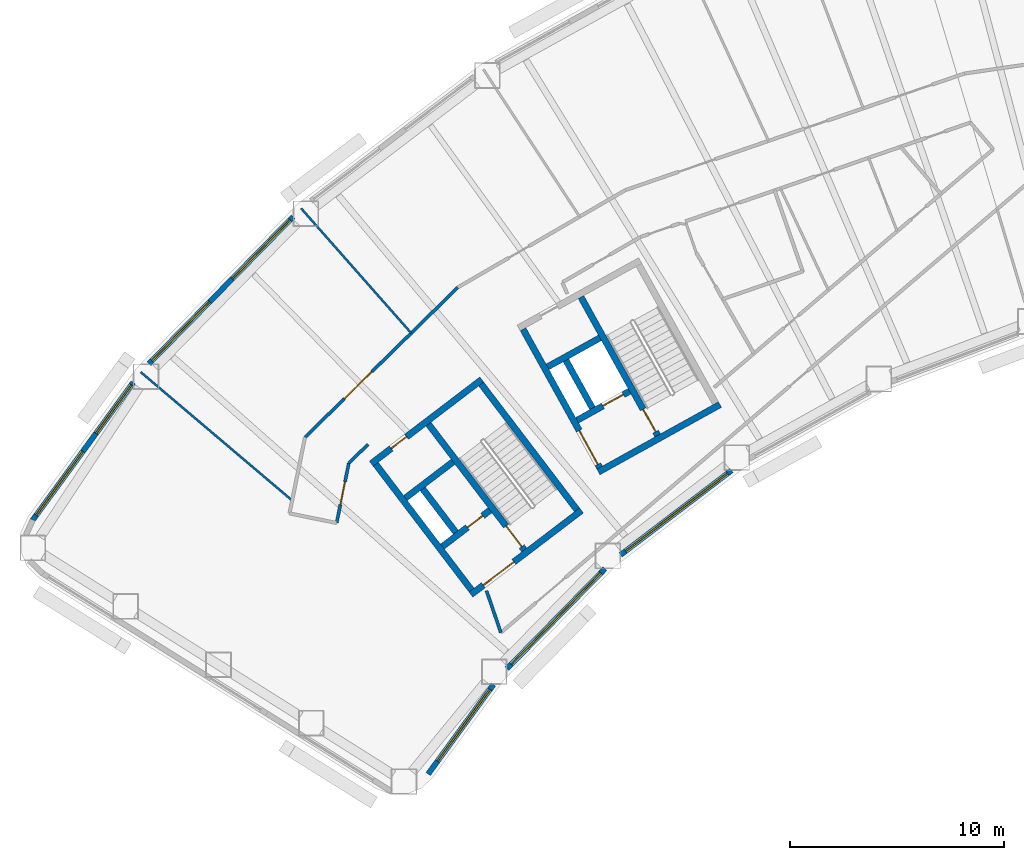
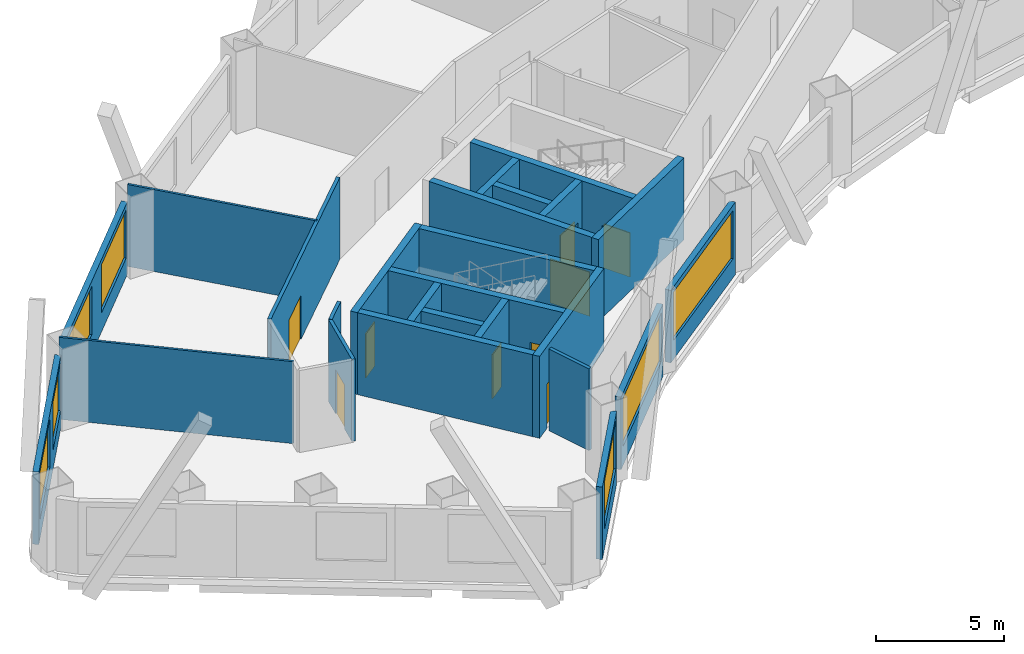
# One storey, part 3 of 12: 25 walls, 9 doors, 7 windows, 16 openings.
"""IFC4 building model written with IfcOpenShell, lengths in metres."""

from ifc_helpers import new_model, si_unit, direction, frame, frame_2d, origin, place, context, subcontext, project, spatial, rectangle, extrude, material, layer, layer_set, type_object, element, fill, save


model = new_model("IFC4")

# Units and contexts
model_context = context("Model", 3, precision=1e-05, world=origin(), true_north=direction((0.0, 1.0)))
body_context = subcontext(model_context, "Body", "Model", "MODEL_VIEW")
ifc_project = project(units=[si_unit("LENGTHUNIT", "METRE"), si_unit("AREAUNIT", "SQUARE_METRE"), si_unit("VOLUMEUNIT", "CUBIC_METRE"), si_unit("PLANEANGLEUNIT", "RADIAN"), si_unit("MASSUNIT", "GRAM", prefix="KILO")], contexts=[model_context])

# Site, building, storey
site_placement = place(None, origin())
site = spatial("IfcSite", under=ifc_project, at=site_placement, CompositionType="ELEMENT")
building_placement = place(site_placement, origin())
building = spatial("IfcBuilding", under=site, at=building_placement, Name="Tuul Gate Civic Tower", CompositionType="ELEMENT")
storey_placement = place(building_placement, frame((0.0, 0.0, 82.199951171875)))
storey = spatial("IfcBuildingStorey", under=building, at=storey_placement, Name="Level 18", CompositionType="ELEMENT", Elevation=82.199951171875)

# Wall, opening, door
ifc_material_1 = material(Name="Concrete C50/60", Category="concrete")
ifc_layer_1 = layer(ifc_material_1, 0.300048828125)
ifc_layer_set_1 = layer_set([ifc_layer_1], Name="Concrete C50/60")
wall_type_1 = type_object("IfcWallType", Name="Core wall C50/60", PredefinedType="SHEAR", material=ifc_layer_set_1)
wall_1_placement = place(storey_placement, frame((-31.19091796875, -13.669677734375, 0.0), z_axis=(0.0, 0.0, 1.0), x_axis=(-0.795606717756, -0.605813461934, 0.0)))
wall_1 = element("IfcWall", 1, at=wall_1_placement, inside=storey, type_object=wall_type_1, Name="Core wall", PredefinedType="SHEAR", context=body_context, shape_type="SweptSolid", body=[
    extrude(rectangle(XDim=6.5, YDim=0.300048828125, at=frame_2d((3.25, 0.0))), origin(), (0.0, 0.0, 1.0), 3.900146484375),
])
opening_1_placement = place(wall_1_placement, frame((3.97509765625, 0.0, 0.0)))
opening_1 = element("IfcOpeningElement", 2, at=opening_1_placement, cuts=wall_1, Name="Opening LB-W1-LOBBY-1", PredefinedType="OPENING", context=body_context, shape_type="SweptSolid", body=[
    extrude(rectangle(XDim=1.800048828125, YDim=2.10009765625, at=frame_2d((0.89990234375, 1.050048828125))), frame((0.0, 0.16015625, 0.0), z_axis=(0.0, -1.0, 0.0), x_axis=(1.0, 0.0, 0.0)), (0.0, 0.0, 1.0), 0.320068359375),
])
ifc_material_2 = material(Name="Steel", Category="steel")
door_type_1 = type_object("IfcDoorType", Name="Lobby door", OperationType="DOUBLE_DOOR_SINGLE_SWING", PredefinedType="DOOR", material=ifc_material_2)
door_1_placement = place(opening_1_placement, origin())
door_1 = element("IfcDoor", 3, at=door_1_placement, inside=storey, type_object=door_type_1, Name="Lobby door W1-LOBBY", OperationType="DOUBLE_DOOR_SINGLE_SWING", OverallHeight=2.10009765625, OverallWidth=1.800048828125, PredefinedType="DOOR", context=body_context, shape_type="SweptSolid", body=[
    extrude(rectangle(XDim=1.800048828125, YDim=2.10009765625, at=frame_2d((0.89990234375, 1.050048828125))), frame((0.0, 0.02490234375, 0.0), z_axis=(0.0, -1.0, 0.0), x_axis=(1.0, 0.0, 0.0)), (0.0, 0.0, 1.0), 0.050048828125),
])
fill(opening_1, door_1)

wall_2_placement = place(storey_placement, frame((-35.470947265625, -13.66064453125, 0.0), z_axis=(0.0, 0.0, 1.0), x_axis=(-0.795615822227, -0.605801504968, 0.0)))
wall_2 = element("IfcWall", 4, at=wall_2_placement, inside=storey, type_object=wall_type_1, Name="Core wall", PredefinedType="SHEAR", context=body_context, shape_type="SweptSolid", body=[
    extrude(rectangle(XDim=2.800048828125, YDim=0.300048828125, at=frame_2d((1.39990234375, 0.0))), origin(), (0.0, 0.0, 1.0), 3.900146484375),
])
opening_2_placement = place(wall_2_placement, frame((0.425048828125, 0.0, 0.0)))
opening_2 = element("IfcOpeningElement", 5, at=opening_2_placement, cuts=wall_2, Name="Opening FB-W1A1", PredefinedType="OPENING", context=body_context, shape_type="SweptSolid", body=[
    extrude(rectangle(XDim=0.89990234375, YDim=2.10009765625, at=frame_2d((0.449951171875, 1.050048828125))), frame((0.0, 0.16015625, 0.0), z_axis=(0.0, -1.0, 0.0), x_axis=(1.0, 0.0, 0.0)), (0.0, 0.0, 1.0), 0.320068359375),
])
ifc_material_3 = material(Name="Steel", Category="steel")
door_type_2 = type_object("IfcDoorType", Name="Store door", OperationType="NOTDEFINED", PredefinedType="DOOR", material=ifc_material_3)
door_2_placement = place(opening_2_placement, frame((0.89990234375, 0.0, 0.0), z_axis=(0.0, 0.0, 1.0), x_axis=(-1.0, 0.0, 0.0)))
door_2 = element("IfcDoor", 6, at=door_2_placement, inside=storey, type_object=door_type_2, Name="Store door W1A1", OperationType="SINGLE_SWING_RIGHT", OverallHeight=2.10009765625, OverallWidth=0.89990234375, PredefinedType="DOOR", context=body_context, shape_type="SweptSolid", body=[
    extrude(rectangle(XDim=0.89990234375, YDim=2.10009765625, at=frame_2d((0.449951171875, 1.050048828125))), frame((0.0, 0.02490234375, 0.0), z_axis=(0.0, -1.0, 0.0), x_axis=(1.0, 0.0, 0.0)), (0.0, 0.0, 1.0), 0.050048828125),
])
fill(opening_2, door_2)

# Wall
wall_3_placement = place(storey_placement, frame((-37.197509765625, -11.39306640625, 0.0), z_axis=(0.0, 0.0, 1.0), x_axis=(-0.795583820278, -0.605843531707, 0.0)))
element("IfcWall", 7, at=wall_3_placement, inside=storey, type_object=wall_type_1, Name="Core wall", PredefinedType="SHEAR", context=body_context, shape_type="SweptSolid", body=[
    extrude(rectangle(XDim=2.7998046875, YDim=0.300048828125, at=frame_2d((1.39990234375, 0.0))), origin(), (0.0, 0.0, 1.0), 3.900146484375),
])

# Wall, opening, door
wall_4_placement = place(storey_placement, frame((-35.855224609375, -7.543212890625, 0.0), z_axis=(0.0, 0.0, 1.0), x_axis=(-0.79563860527, -0.605771582202, 0.0)))
wall_4 = element("IfcWall", 8, at=wall_4_placement, inside=storey, type_object=wall_type_1, Name="Core wall", PredefinedType="SHEAR", context=body_context, shape_type="SweptSolid", body=[
    extrude(rectangle(XDim=6.5, YDim=0.300048828125, at=frame_2d((3.25, 0.0))), origin(), (0.0, 0.0, 1.0), 3.900146484375),
])
opening_3_placement = place(wall_4_placement, frame((4.425048828125, 0.0, 0.0)))
opening_3 = element("IfcOpeningElement", 9, at=opening_3_placement, cuts=wall_4, Name="Opening E-D36", PredefinedType="OPENING", context=body_context, shape_type="SweptSolid", body=[
    extrude(rectangle(XDim=0.89990234375, YDim=2.10009765625, at=frame_2d((0.449951171875, 1.050048828125))), frame((0.0, 0.16015625, 0.0), z_axis=(0.0, -1.0, 0.0), x_axis=(1.0, 0.0, 0.0)), (0.0, 0.0, 1.0), 0.320068359375),
])
ifc_material_4 = material(Name="Timber door leaf", Category="wood")
door_type_3 = type_object("IfcDoorType", Name="Door D09", OperationType="NOTDEFINED", PredefinedType="DOOR", material=ifc_material_4)
door_3_placement = place(opening_3_placement, origin())
door_3 = element("IfcDoor", 10, at=door_3_placement, inside=storey, type_object=door_type_3, Name="Door E-D36", OperationType="SINGLE_SWING_LEFT", OverallHeight=2.10009765625, OverallWidth=0.89990234375, PredefinedType="DOOR", context=body_context, shape_type="SweptSolid", body=[
    extrude(rectangle(XDim=0.89990234375, YDim=2.10009765625, at=frame_2d((0.449951171875, 1.050048828125))), frame((0.0, 0.02490234375, 0.0), z_axis=(0.0, -1.0, 0.0), x_axis=(1.0, 0.0, 0.0)), (0.0, 0.0, 1.0), 0.050048828125),
])
fill(opening_3, door_3)

# Wall
wall_5_placement = place(storey_placement, frame((-31.401123046875, -13.64111328125, 0.0), z_axis=(0.0, 0.0, 1.0), x_axis=(-0.605769822278, 0.795639945213, 0.0)))
element("IfcWall", 11, at=wall_5_placement, inside=storey, type_object=wall_type_1, Name="Core wall", PredefinedType="SHEAR", context=body_context, shape_type="SweptSolid", body=[
    extrude(rectangle(XDim=7.39990234375, YDim=0.300048828125, at=frame_2d((3.699951171875, 0.0))), origin(), (0.0, 0.0, 1.0), 3.900146484375),
])

# Wall, opening, door
wall_6_placement = place(storey_placement, frame((-33.867431640625, -15.51904296875, 0.0), z_axis=(0.0, 0.0, 1.0), x_axis=(-0.605769822278, 0.795639945213, 0.0)))
wall_6 = element("IfcWall", 12, at=wall_6_placement, inside=storey, type_object=wall_type_1, Name="Core wall", PredefinedType="SHEAR", context=body_context, shape_type="SweptSolid", body=[
    extrude(rectangle(XDim=7.39990234375, YDim=0.300048828125, at=frame_2d((3.699951171875, 0.0))), origin(), (0.0, 0.0, 1.0), 3.900146484375),
])
opening_4_placement = place(wall_6_placement, frame((0.199951171875, 0.0, 0.0)))
opening_4 = element("IfcOpeningElement", 13, at=opening_4_placement, cuts=wall_6, Name="Opening SD-ST-1", PredefinedType="OPENING", context=body_context, shape_type="SweptSolid", body=[
    extrude(rectangle(XDim=1.199951171875, YDim=2.10009765625, at=frame_2d((0.60009765625, 1.050048828125))), frame((0.0, 0.16015625, 0.0), z_axis=(0.0, -1.0, 0.0), x_axis=(1.0, 0.0, 0.0)), (0.0, 0.0, 1.0), 0.320068359375),
])
ifc_material_5 = material(Name="Steel", Category="steel")
door_type_4 = type_object("IfcDoorType", Name="Stair door", OperationType="NOTDEFINED", PredefinedType="DOOR", material=ifc_material_5)
door_4_placement = place(opening_4_placement, origin())
door_4 = element("IfcDoor", 14, at=door_4_placement, inside=storey, type_object=door_type_4, Name="Stair door ST-1", OperationType="SINGLE_SWING_LEFT", OverallHeight=2.10009765625, OverallWidth=1.199951171875, PredefinedType="DOOR", context=body_context, shape_type="SweptSolid", body=[
    extrude(rectangle(XDim=1.199951171875, YDim=2.10009765625, at=frame_2d((0.60009765625, 1.050048828125))), frame((0.0, 0.02490234375, 0.0), z_axis=(0.0, -1.0, 0.0), x_axis=(1.0, 0.0, 0.0)), (0.0, 0.0, 1.0), 0.050048828125),
])
fill(opening_4, door_4)

# Walls
wall_7_placement = place(storey_placement, frame((-37.073486328125, -14.6923828125, 0.0), z_axis=(0.0, 0.0, 1.0), x_axis=(-0.605728760074, 0.79567120673, 0.0)))
element("IfcWall", 15, at=wall_7_placement, inside=storey, type_object=wall_type_1, Name="Core wall", PredefinedType="SHEAR", context=body_context, shape_type="SweptSolid", body=[
    extrude(rectangle(XDim=2.550048828125, YDim=0.300048828125, at=frame_2d((1.27490234375, 0.0))), origin(), (0.0, 0.0, 1.0), 3.900146484375),
])
wall_8_placement = place(storey_placement, frame((-36.333984375, -17.397216796875, 0.0), z_axis=(0.0, 0.0, 1.0), x_axis=(-0.605753921168, 0.795652051458, 0.0)))
element("IfcWall", 16, at=wall_8_placement, inside=storey, type_object=wall_type_1, Name="Core wall", PredefinedType="SHEAR", context=body_context, shape_type="SweptSolid", body=[
    extrude(rectangle(XDim=7.400146484375, YDim=0.300048828125, at=frame_2d((3.7001953125, 0.0))), origin(), (0.0, 0.0, 1.0), 3.900146484375),
])
wall_9_placement = place(storey_placement, frame((-24.711669921875, -8.7158203125, 0.0), z_axis=(0.0, 0.0, 1.0), x_axis=(-0.874629909008, -0.484791215132, 0.0)))
element("IfcWall", 17, at=wall_9_placement, inside=storey, type_object=wall_type_1, Name="Core wall", PredefinedType="SHEAR", context=body_context, shape_type="SweptSolid", body=[
    extrude(rectangle(XDim=6.5, YDim=0.300048828125, at=frame_2d((3.25, 0.0))), origin(), (0.0, 0.0, 1.0), 3.900146484375),
])

# Wall, opening, door
wall_10_placement = place(storey_placement, frame((-28.94580078125, -8.090087890625, 0.0), z_axis=(0.0, 0.0, 1.0), x_axis=(-0.874629840737, -0.484791338301, 0.0)))
wall_10 = element("IfcWall", 18, at=wall_10_placement, inside=storey, type_object=wall_type_1, Name="Core wall", PredefinedType="SHEAR", context=body_context, shape_type="SweptSolid", body=[
    extrude(rectangle(XDim=2.800048828125, YDim=0.300048828125, at=frame_2d((1.39990234375, 0.0))), origin(), (0.0, 0.0, 1.0), 3.900146484375),
])
opening_5_placement = place(wall_10_placement, frame((0.324951171875, 0.0, 0.0)))
opening_5 = element("IfcOpeningElement", 19, at=opening_5_placement, cuts=wall_10, Name="Opening LD-FF-1", PredefinedType="OPENING", context=body_context, shape_type="SweptSolid", body=[
    extrude(rectangle(XDim=1.10009765625, YDim=2.10009765625, at=frame_2d((0.550048828125, 1.050048828125))), frame((0.0, 0.16015625, 0.0), z_axis=(0.0, -1.0, 0.0), x_axis=(1.0, 0.0, 0.0)), (0.0, 0.0, 1.0), 0.320068359375),
])
ifc_material_6 = material(Name="Stainless steel", Category="steel")
door_type_5 = type_object("IfcDoorType", Name="Landing door", OperationType="DOUBLE_DOOR_SLIDING", PredefinedType="DOOR", material=ifc_material_6)
door_5_placement = place(opening_5_placement, origin())
door_5 = element("IfcDoor", 20, at=door_5_placement, inside=storey, type_object=door_type_5, Name="Fire-fighting lift FF-1 landing door", OperationType="DOUBLE_DOOR_SLIDING", OverallHeight=2.10009765625, OverallWidth=1.10009765625, PredefinedType="DOOR", context=body_context, shape_type="SweptSolid", body=[
    extrude(rectangle(XDim=1.10009765625, YDim=2.10009765625, at=frame_2d((0.550048828125, 1.050048828125))), frame((0.0, 0.02490234375, 0.0), z_axis=(0.0, -1.0, 0.0), x_axis=(1.0, 0.0, 0.0)), (0.0, 0.0, 1.0), 0.050048828125),
])
fill(opening_5, door_5)

# Wall
wall_11_placement = place(storey_placement, frame((-30.327392578125, -5.59716796875, 0.0), z_axis=(0.0, 0.0, 1.0), x_axis=(-0.874629840737, -0.484791338301, 0.0)))
element("IfcWall", 21, at=wall_11_placement, inside=storey, type_object=wall_type_1, Name="Core wall", PredefinedType="SHEAR", context=body_context, shape_type="SweptSolid", body=[
    extrude(rectangle(XDim=2.800048828125, YDim=0.300048828125, at=frame_2d((1.39990234375, 0.0))), origin(), (0.0, 0.0, 1.0), 3.900146484375),
])

# Wall, opening, door
wall_12_placement = place(storey_placement, frame((-27.626953125, -10.16015625, 0.0), z_axis=(0.0, 0.0, 1.0), x_axis=(-0.484751894226, 0.874651702704, 0.0)))
wall_12 = element("IfcWall", 22, at=wall_12_placement, inside=storey, type_object=wall_type_1, Name="Core wall", PredefinedType="SHEAR", context=body_context, shape_type="SweptSolid", body=[
    extrude(rectangle(XDim=7.39990234375, YDim=0.300048828125, at=frame_2d((3.699951171875, 0.0))), origin(), (0.0, 0.0, 1.0), 3.900146484375),
])
opening_6_placement = place(wall_12_placement, frame((0.199951171875, 0.0, 0.0)))
opening_6 = element("IfcOpeningElement", 23, at=opening_6_placement, cuts=wall_12, Name="Opening SD-ST-2", PredefinedType="OPENING", context=body_context, shape_type="SweptSolid", body=[
    extrude(rectangle(XDim=1.199951171875, YDim=2.10009765625, at=frame_2d((0.60009765625, 1.050048828125))), frame((0.0, 0.16015625, 0.0), z_axis=(0.0, -1.0, 0.0), x_axis=(1.0, 0.0, 0.0)), (0.0, 0.0, 1.0), 0.320068359375),
])
door_6_placement = place(opening_6_placement, origin())
door_6 = element("IfcDoor", 24, at=door_6_placement, inside=storey, type_object=door_type_4, Name="Stair door ST-2", OperationType="SINGLE_SWING_LEFT", OverallHeight=2.10009765625, OverallWidth=1.199951171875, PredefinedType="DOOR", context=body_context, shape_type="SweptSolid", body=[
    extrude(rectangle(XDim=1.199951171875, YDim=2.10009765625, at=frame_2d((0.60009765625, 1.050048828125))), frame((0.0, 0.02490234375, 0.0), z_axis=(0.0, -1.0, 0.0), x_axis=(1.0, 0.0, 0.0)), (0.0, 0.0, 1.0), 0.050048828125),
])
fill(opening_6, door_6)

# Wall
wall_13_placement = place(storey_placement, frame((-30.680419921875, -8.8798828125, 0.0), z_axis=(0.0, 0.0, 1.0), x_axis=(-0.484724115216, 0.874667097888, 0.0)))
element("IfcWall", 25, at=wall_13_placement, inside=storey, type_object=wall_type_1, Name="Core wall", PredefinedType="SHEAR", context=body_context, shape_type="SweptSolid", body=[
    extrude(rectangle(XDim=2.550048828125, YDim=0.300048828125, at=frame_2d((1.27490234375, 0.0))), origin(), (0.0, 0.0, 1.0), 3.900146484375),
])

# Wall, opening, door
wall_14_placement = place(storey_placement, frame((-30.33837890625, -11.6630859375, 0.0), z_axis=(0.0, 0.0, 1.0), x_axis=(-0.484751894226, 0.874651702704, 0.0)))
wall_14 = element("IfcWall", 26, at=wall_14_placement, inside=storey, type_object=wall_type_1, Name="Core wall", PredefinedType="SHEAR", context=body_context, shape_type="SweptSolid", body=[
    extrude(rectangle(XDim=7.39990234375, YDim=0.300048828125, at=frame_2d((3.699951171875, 0.0))), origin(), (0.0, 0.0, 1.0), 3.900146484375),
])
opening_7_placement = place(wall_14_placement, frame((0.175048828125, 0.0, 0.0)))
opening_7 = element("IfcOpeningElement", 27, at=opening_7_placement, cuts=wall_14, Name="Opening LB-W2-FLOBBY-1", PredefinedType="OPENING", context=body_context, shape_type="SweptSolid", body=[
    extrude(rectangle(XDim=1.800048828125, YDim=2.10009765625, at=frame_2d((0.89990234375, 1.050048828125))), frame((0.0, 0.16015625, 0.0), z_axis=(0.0, -1.0, 0.0), x_axis=(1.0, 0.0, 0.0)), (0.0, 0.0, 1.0), 0.320068359375),
])
door_7_placement = place(opening_7_placement, origin())
door_7 = element("IfcDoor", 28, at=door_7_placement, inside=storey, type_object=door_type_1, Name="Lobby door W2-FLOBBY", OperationType="DOUBLE_DOOR_SINGLE_SWING", OverallHeight=2.10009765625, OverallWidth=1.800048828125, PredefinedType="DOOR", context=body_context, shape_type="SweptSolid", body=[
    extrude(rectangle(XDim=1.800048828125, YDim=2.10009765625, at=frame_2d((0.89990234375, 1.050048828125))), frame((0.0, 0.02490234375, 0.0), z_axis=(0.0, -1.0, 0.0), x_axis=(1.0, 0.0, 0.0)), (0.0, 0.0, 1.0), 0.050048828125),
])
fill(opening_7, door_7)

ifc_material_7 = material(Name="Gypsum board partition")
ifc_layer_2 = layer(ifc_material_7, 0.14990234375)
ifc_layer_set_2 = layer_set([ifc_layer_2], Name="Gypsum board partition")
wall_type_2 = type_object("IfcWallType", Name="Corridor wall P150", PredefinedType="PARTITIONING", material=ifc_layer_set_2)
wall_15_placement = place(storey_placement, frame((-44.1259765625, -10.24560546875, 0.0), z_axis=(0.0, 0.0, 1.0), x_axis=(0.713912699322, 0.700234716182, 0.0)))
wall_15 = element("IfcWall", 29, at=wall_15_placement, inside=storey, type_object=wall_type_2, Name="p041", PredefinedType="PARTITIONING", context=body_context, shape_type="SweptSolid", body=[
    extrude(rectangle(XDim=10.013427734375, YDim=0.14990234375, at=frame_2d((5.0068359375, 0.0))), origin(), (0.0, 0.0, 1.0), 3.900146484375),
])
opening_8_placement = place(wall_15_placement, frame((2.579833984375, 0.0, 0.0)))
opening_8 = element("IfcOpeningElement", 30, at=opening_8_placement, cuts=wall_15, Name="Opening E-D14", PredefinedType="OPENING", context=body_context, shape_type="SweptSolid", body=[
    extrude(rectangle(XDim=1.800048828125, YDim=2.10009765625, at=frame_2d((0.89990234375, 1.050048828125))), frame((0.0, 0.0849609375, 0.0), z_axis=(0.0, -1.0, 0.0), x_axis=(1.0, 0.0, 0.0)), (0.0, 0.0, 1.0), 0.169921875),
])
ifc_material_8 = material(Name="Timber door leaf, double", Category="wood")
door_type_6 = type_object("IfcDoorType", Name="Door D18", OperationType="DOUBLE_DOOR_SINGLE_SWING", PredefinedType="DOOR", material=ifc_material_8)
door_8_placement = place(opening_8_placement, origin())
door_8 = element("IfcDoor", 31, at=door_8_placement, inside=storey, type_object=door_type_6, Name="Door E-D14", OperationType="DOUBLE_DOOR_SINGLE_SWING", OverallHeight=2.10009765625, OverallWidth=1.800048828125, PredefinedType="DOOR", context=body_context, shape_type="SweptSolid", body=[
    extrude(rectangle(XDim=1.800048828125, YDim=2.10009765625, at=frame_2d((0.89990234375, 1.050048828125))), frame((0.0, 0.02490234375, 0.0), z_axis=(0.0, -1.0, 0.0), x_axis=(1.0, 0.0, 0.0)), (0.0, 0.0, 1.0), 0.050048828125),
])
fill(opening_8, door_8)

wall_16_placement = place(storey_placement, frame((-42.647216796875, -14.257080078125, 0.0), z_axis=(0.0, 0.0, 1.0), x_axis=(0.199748918876, 0.979847115324, 0.0)))
wall_16 = element("IfcWall", 32, at=wall_16_placement, inside=storey, type_object=wall_type_2, Name="p055", PredefinedType="PARTITIONING", context=body_context, shape_type="SweptSolid", body=[
    extrude(rectangle(XDim=2.855224609375, YDim=0.14990234375, at=frame_2d((1.427734375, 0.0))), origin(), (0.0, 0.0, 1.0), 3.900146484375),
])
opening_9_placement = place(wall_16_placement, frame((0.877685546875, 0.0, 0.0)))
opening_9 = element("IfcOpeningElement", 33, at=opening_9_placement, cuts=wall_16, Name="Opening E-D31", PredefinedType="OPENING", context=body_context, shape_type="SweptSolid", body=[
    extrude(rectangle(XDim=1.10009765625, YDim=2.10009765625, at=frame_2d((0.550048828125, 1.050048828125))), frame((0.0, 0.0849609375, 0.0), z_axis=(0.0, -1.0, 0.0), x_axis=(1.0, 0.0, 0.0)), (0.0, 0.0, 1.0), 0.169921875),
])
ifc_material_9 = material(Name="Timber door leaf", Category="wood")
door_type_7 = type_object("IfcDoorType", Name="Door D11", OperationType="NOTDEFINED", PredefinedType="DOOR", material=ifc_material_9)
door_9_placement = place(opening_9_placement, frame((1.10009765625, 0.0, 0.0), z_axis=(0.0, 0.0, 1.0), x_axis=(-1.0, 0.0, 0.0)))
door_9 = element("IfcDoor", 34, at=door_9_placement, inside=storey, type_object=door_type_7, Name="Door E-D31", OperationType="SINGLE_SWING_LEFT", OverallHeight=2.10009765625, OverallWidth=1.10009765625, PredefinedType="DOOR", context=body_context, shape_type="SweptSolid", body=[
    extrude(rectangle(XDim=1.10009765625, YDim=2.10009765625, at=frame_2d((0.550048828125, 1.050048828125))), frame((0.0, 0.02490234375, 0.0), z_axis=(0.0, -1.0, 0.0), x_axis=(1.0, 0.0, 0.0)), (0.0, 0.0, 1.0), 0.050048828125),
])
fill(opening_9, door_9)

# Walls
wall_17_placement = place(storey_placement, frame((-42.072509765625, -11.452880859375, 0.0), z_axis=(0.0, 0.0, 1.0), x_axis=(0.714924725221, 0.69920142825, 0.0)))
element("IfcWall", 35, at=wall_17_placement, inside=storey, type_object=wall_type_2, Name="p056", PredefinedType="PARTITIONING", context=body_context, shape_type="SweptSolid", body=[
    extrude(rectangle(XDim=1.2578125, YDim=0.14990234375, at=frame_2d((0.62890625, 0.0))), origin(), (0.0, 0.0, 1.0), 3.900146484375),
])
wall_18_placement = place(storey_placement, frame((-35.6328125, -17.428955078125, 0.0), z_axis=(0.0, 0.0, 1.0), x_axis=(0.324318294095, -0.945948013432, 0.0)))
element("IfcWall", 36, at=wall_18_placement, inside=storey, type_object=wall_type_2, Name="p057", PredefinedType="PARTITIONING", context=body_context, shape_type="SweptSolid", body=[
    extrude(rectangle(XDim=2.070068359375, YDim=0.14990234375, at=frame_2d((1.03515625, 0.0))), origin(), (0.0, 0.0, 1.0), 3.900146484375),
])

# Wall, openings, windows
ifc_material_10 = material(Name="Precast concrete C40/50", Category="concrete")
ifc_layer_3 = layer(ifc_material_10, 0.25)
ifc_layer_set_3 = layer_set([ifc_layer_3], Name="Precast concrete C40/50")
wall_type_3 = type_object("IfcWallType", Name="External wall", PredefinedType="STANDARD", material=ifc_layer_set_3)
wall_19_placement = place(storey_placement, frame((-44.68896484375, 0.068359375, 0.0), z_axis=(0.0, 0.0, 1.0), x_axis=(-0.700037194481, -0.714106383072, 0.0)))
wall_19 = element("IfcWall", 37, at=wall_19_placement, inside=storey, type_object=wall_type_3, Name="External wall", PredefinedType="STANDARD", context=body_context, shape_type="SweptSolid", body=[
    extrude(rectangle(XDim=9.630859375, YDim=0.25, at=frame_2d((4.8154296875, 0.0))), origin(), (0.0, 0.0, 1.0), 3.449951171875),
])
opening_10_placement = place(wall_19_placement, frame((0.203125, 0.0, 0.89990234375)))
opening_10 = element("IfcOpeningElement", 38, at=opening_10_placement, cuts=wall_19, Name="Opening W22", PredefinedType="OPENING", context=body_context, shape_type="SweptSolid", body=[
    extrude(rectangle(XDim=3.85009765625, YDim=2.300048828125, at=frame_2d((1.925048828125, 1.14990234375))), frame((0.0, 0.135009765625, 0.0), z_axis=(0.0, -1.0, 0.0), x_axis=(1.0, 0.0, 0.0)), (0.0, 0.0, 1.0), 0.27001953125),
])
opening_11_placement = place(wall_19_placement, frame((5.57421875, 0.0, 0.89990234375)))
opening_11 = element("IfcOpeningElement", 39, at=opening_11_placement, cuts=wall_19, Name="Opening W22", PredefinedType="OPENING", context=body_context, shape_type="SweptSolid", body=[
    extrude(rectangle(XDim=3.85009765625, YDim=2.300048828125, at=frame_2d((1.925048828125, 1.14990234375))), frame((0.0, 0.135009765625, 0.0), z_axis=(0.0, -1.0, 0.0), x_axis=(1.0, 0.0, 0.0)), (0.0, 0.0, 1.0), 0.27001953125),
])
ifc_material_11 = material(Name="Glass", Category="glass")
window_type_1 = type_object("IfcWindowType", Name="Window W22 3850 x 2300", PartitioningType="SINGLE_PANEL", PredefinedType="WINDOW", material=ifc_material_11)
window_1_placement = place(opening_10_placement, origin())
window_1 = element("IfcWindow", 40, at=window_1_placement, inside=storey, type_object=window_type_1, Name="Window", OverallHeight=2.300048828125, OverallWidth=3.85009765625, PartitioningType="SINGLE_PANEL", PredefinedType="WINDOW", context=body_context, shape_type="SweptSolid", body=[
    extrude(rectangle(XDim=3.85009765625, YDim=2.300048828125, at=frame_2d((1.925048828125, 1.14990234375))), frame((0.0, 0.030029296875, 0.0), z_axis=(0.0, -1.0, 0.0), x_axis=(1.0, 0.0, 0.0)), (0.0, 0.0, 1.0), 0.06005859375),
])
fill(opening_10, window_1)
window_2_placement = place(opening_11_placement, origin())
window_2 = element("IfcWindow", 41, at=window_2_placement, inside=storey, type_object=window_type_1, Name="Window", OverallHeight=2.300048828125, OverallWidth=3.85009765625, PartitioningType="SINGLE_PANEL", PredefinedType="WINDOW", context=body_context, shape_type="SweptSolid", body=[
    extrude(rectangle(XDim=3.85009765625, YDim=2.300048828125, at=frame_2d((1.925048828125, 1.14990234375))), frame((0.0, 0.030029296875, 0.0), z_axis=(0.0, -1.0, 0.0), x_axis=(1.0, 0.0, 0.0)), (0.0, 0.0, 1.0), 0.06005859375),
])
fill(opening_11, window_2)

wall_20_placement = place(storey_placement, frame((-52.1640625, -7.679443359375, 0.0), z_axis=(0.0, 0.0, 1.0), x_axis=(-0.589758648629, -0.807579554204, 0.0)))
wall_20 = element("IfcWall", 42, at=wall_20_placement, inside=storey, type_object=wall_type_3, Name="External wall", PredefinedType="STANDARD", context=body_context, shape_type="SweptSolid", body=[
    extrude(rectangle(XDim=7.998291015625, YDim=0.25, at=frame_2d((3.9990234375, 0.0))), origin(), (0.0, 0.0, 1.0), 3.449951171875),
])
opening_12_placement = place(wall_20_placement, frame((0.145751953125, 0.0, 0.89990234375)))
opening_12 = element("IfcOpeningElement", 43, at=opening_12_placement, cuts=wall_20, Name="Opening W23", PredefinedType="OPENING", context=body_context, shape_type="SweptSolid", body=[
    extrude(rectangle(XDim=2.800048828125, YDim=2.300048828125, at=frame_2d((1.39990234375, 1.14990234375))), frame((0.0, 0.135009765625, 0.0), z_axis=(0.0, -1.0, 0.0), x_axis=(1.0, 0.0, 0.0)), (0.0, 0.0, 1.0), 0.27001953125),
])
opening_13_placement = place(wall_20_placement, frame((3.997314453125, 0.0, 0.89990234375)))
opening_13 = element("IfcOpeningElement", 44, at=opening_13_placement, cuts=wall_20, Name="Opening W21", PredefinedType="OPENING", context=body_context, shape_type="SweptSolid", body=[
    extrude(rectangle(XDim=3.699951171875, YDim=2.300048828125, at=frame_2d((1.85009765625, 1.14990234375))), frame((0.0, 0.135009765625, 0.0), z_axis=(0.0, -1.0, 0.0), x_axis=(1.0, 0.0, 0.0)), (0.0, 0.0, 1.0), 0.27001953125),
])
ifc_material_12 = material(Name="Glass", Category="glass")
window_type_2 = type_object("IfcWindowType", Name="Window W21 3700 x 2300", PartitioningType="SINGLE_PANEL", PredefinedType="WINDOW", material=ifc_material_12)
window_3_placement = place(opening_13_placement, origin())
window_3 = element("IfcWindow", 45, at=window_3_placement, inside=storey, type_object=window_type_2, Name="Window", OverallHeight=2.300048828125, OverallWidth=3.699951171875, PartitioningType="SINGLE_PANEL", PredefinedType="WINDOW", context=body_context, shape_type="SweptSolid", body=[
    extrude(rectangle(XDim=3.699951171875, YDim=2.300048828125, at=frame_2d((1.85009765625, 1.14990234375))), frame((0.0, 0.030029296875, 0.0), z_axis=(0.0, -1.0, 0.0), x_axis=(1.0, 0.0, 0.0)), (0.0, 0.0, 1.0), 0.06005859375),
])
fill(opening_13, window_3)
ifc_material_13 = material(Name="Glass", Category="glass")
window_type_3 = type_object("IfcWindowType", Name="Window W23 2800 x 2300", PartitioningType="SINGLE_PANEL", PredefinedType="WINDOW", material=ifc_material_13)
window_4_placement = place(opening_12_placement, origin())
window_4 = element("IfcWindow", 46, at=window_4_placement, inside=storey, type_object=window_type_3, Name="Window", OverallHeight=2.300048828125, OverallWidth=2.800048828125, PartitioningType="SINGLE_PANEL", PredefinedType="WINDOW", context=body_context, shape_type="SweptSolid", body=[
    extrude(rectangle(XDim=2.800048828125, YDim=2.300048828125, at=frame_2d((1.39990234375, 1.14990234375))), frame((0.0, 0.030029296875, 0.0), z_axis=(0.0, -1.0, 0.0), x_axis=(1.0, 0.0, 0.0)), (0.0, 0.0, 1.0), 0.06005859375),
])
fill(opening_12, window_4)

# Wall, opening, window
wall_21_placement = place(storey_placement, frame((-38.364990234375, -26.002197265625, 0.0), z_axis=(0.0, 0.0, 1.0), x_axis=(0.589773184558, 0.807568938715, 0.0)))
wall_21 = element("IfcWall", 47, at=wall_21_placement, inside=storey, type_object=wall_type_3, Name="External wall", PredefinedType="STANDARD", context=body_context, shape_type="SweptSolid", body=[
    extrude(rectangle(XDim=5.18115234375, YDim=0.25, at=frame_2d((2.590576171875, 0.0))), origin(), (0.0, 0.0, 1.0), 3.449951171875),
])
opening_14_placement = place(wall_21_placement, frame((0.75244140625, 0.0, 0.89990234375)))
opening_14 = element("IfcOpeningElement", 48, at=opening_14_placement, cuts=wall_21, Name="Opening W25", PredefinedType="OPENING", context=body_context, shape_type="SweptSolid", body=[
    extrude(rectangle(XDim=4.14990234375, YDim=2.300048828125, at=frame_2d((2.074951171875, 1.14990234375))), frame((0.0, 0.135009765625, 0.0), z_axis=(0.0, -1.0, 0.0), x_axis=(1.0, 0.0, 0.0)), (0.0, 0.0, 1.0), 0.27001953125),
])
ifc_material_14 = material(Name="Glass", Category="glass")
window_type_4 = type_object("IfcWindowType", Name="Window W25 4150 x 2300", PartitioningType="SINGLE_PANEL", PredefinedType="WINDOW", material=ifc_material_14)
window_5_placement = place(opening_14_placement, origin())
window_5 = element("IfcWindow", 49, at=window_5_placement, inside=storey, type_object=window_type_4, Name="Window", OverallHeight=2.300048828125, OverallWidth=4.14990234375, PartitioningType="SINGLE_PANEL", PredefinedType="WINDOW", context=body_context, shape_type="SweptSolid", body=[
    extrude(rectangle(XDim=4.14990234375, YDim=2.300048828125, at=frame_2d((2.074951171875, 1.14990234375))), frame((0.0, 0.030029296875, 0.0), z_axis=(0.0, -1.0, 0.0), x_axis=(1.0, 0.0, 0.0)), (0.0, 0.0, 1.0), 0.06005859375),
])
fill(opening_14, window_5)

wall_22_placement = place(storey_placement, frame((-34.673095703125, -21.0693359375, 0.0), z_axis=(0.0, 0.0, 1.0), x_axis=(0.700096771337, 0.714047975114, 0.0)))
wall_22 = element("IfcWall", 50, at=wall_22_placement, inside=storey, type_object=wall_type_3, Name="External wall", PredefinedType="STANDARD", context=body_context, shape_type="SweptSolid", body=[
    extrude(rectangle(XDim=6.544921875, YDim=0.25, at=frame_2d((3.2724609375, 0.0))), origin(), (0.0, 0.0, 1.0), 3.449951171875),
])
opening_15_placement = place(wall_22_placement, frame((0.269775390625, 0.0, 0.89990234375)))
opening_15 = element("IfcOpeningElement", 51, at=opening_15_placement, cuts=wall_22, Name="Opening W26", PredefinedType="OPENING", context=body_context, shape_type="SweptSolid", body=[
    extrude(rectangle(XDim=6.0, YDim=2.300048828125, at=frame_2d((3.0, 1.14990234375))), frame((0.0, 0.135009765625, 0.0), z_axis=(0.0, -1.0, 0.0), x_axis=(1.0, 0.0, 0.0)), (0.0, 0.0, 1.0), 0.27001953125),
])
ifc_material_15 = material(Name="Glass", Category="glass")
window_type_5 = type_object("IfcWindowType", Name="Window W26 6000 x 2300", PartitioningType="SINGLE_PANEL", PredefinedType="WINDOW", material=ifc_material_15)
window_6_placement = place(opening_15_placement, origin())
window_6 = element("IfcWindow", 52, at=window_6_placement, inside=storey, type_object=window_type_5, Name="Window", OverallHeight=2.300048828125, OverallWidth=6.0, PartitioningType="SINGLE_PANEL", PredefinedType="WINDOW", context=body_context, shape_type="SweptSolid", body=[
    extrude(rectangle(XDim=6.0, YDim=2.300048828125, at=frame_2d((3.0, 1.14990234375))), frame((0.0, 0.030029296875, 0.0), z_axis=(0.0, -1.0, 0.0), x_axis=(1.0, 0.0, 0.0)), (0.0, 0.0, 1.0), 0.06005859375),
])
fill(opening_15, window_6)

wall_23_placement = place(storey_placement, frame((-29.35791015625, -15.747802734375, 0.0), z_axis=(0.0, 0.0, 1.0), x_axis=(0.7955846747, 0.605842409694, 0.0)))
wall_23 = element("IfcWall", 53, at=wall_23_placement, inside=storey, type_object=wall_type_3, Name="External wall", PredefinedType="STANDARD", context=body_context, shape_type="SweptSolid", body=[
    extrude(rectangle(XDim=6.52099609375, YDim=0.25, at=frame_2d((3.260498046875, 0.0))), origin(), (0.0, 0.0, 1.0), 3.449951171875),
])
opening_16_placement = place(wall_23_placement, frame((0.28857421875, 0.0, 0.89990234375)))
opening_16 = element("IfcOpeningElement", 54, at=opening_16_placement, cuts=wall_23, Name="Opening W26", PredefinedType="OPENING", context=body_context, shape_type="SweptSolid", body=[
    extrude(rectangle(XDim=6.0, YDim=2.300048828125, at=frame_2d((3.0, 1.14990234375))), frame((0.0, 0.135009765625, 0.0), z_axis=(0.0, -1.0, 0.0), x_axis=(1.0, 0.0, 0.0)), (0.0, 0.0, 1.0), 0.27001953125),
])
window_7_placement = place(opening_16_placement, origin())
window_7 = element("IfcWindow", 55, at=window_7_placement, inside=storey, type_object=window_type_5, Name="Window", OverallHeight=2.300048828125, OverallWidth=6.0, PartitioningType="SINGLE_PANEL", PredefinedType="WINDOW", context=body_context, shape_type="SweptSolid", body=[
    extrude(rectangle(XDim=6.0, YDim=2.300048828125, at=frame_2d((3.0, 1.14990234375))), frame((0.0, 0.030029296875, 0.0), z_axis=(0.0, -1.0, 0.0), x_axis=(1.0, 0.0, 0.0)), (0.0, 0.0, 1.0), 0.06005859375),
])
fill(opening_16, window_7)

# Walls
ifc_material_16 = material(Name="Gypsum board partition")
ifc_layer_4 = layer(ifc_material_16, 0.10009765625)
ifc_layer_set_4 = layer_set([ifc_layer_4], Name="Gypsum board partition")
wall_type_4 = type_object("IfcWallType", Name="Partition P100", PredefinedType="PARTITIONING", material=ifc_layer_set_4)
wall_24_placement = place(storey_placement, frame((-44.30810546875, 0.464111328125, 0.0), z_axis=(0.0, 0.0, 1.0), x_axis=(0.661682837076, -0.749783850933, 0.0)))
element("IfcWall", 56, at=wall_24_placement, inside=storey, type_object=wall_type_4, Name="p039", PredefinedType="PARTITIONING", context=body_context, shape_type="SweptSolid", body=[
    extrude(rectangle(XDim=7.7841796875, YDim=0.10009765625, at=frame_2d((3.89208984375, 0.0))), origin(), (0.0, 0.0, 1.0), 3.900146484375),
])
wall_25_placement = place(storey_placement, frame((-51.81640625, -7.19482421875, 0.0), z_axis=(0.0, 0.0, 1.0), x_axis=(0.762837824893, -0.646589864529, 0.0)))
element("IfcWall", 57, at=wall_25_placement, inside=storey, type_object=wall_type_4, Name="p042", PredefinedType="PARTITIONING", context=body_context, shape_type="SweptSolid", body=[
    extrude(rectangle(XDim=9.291259765625, YDim=0.10009765625, at=frame_2d((4.6455078125, 0.0))), origin(), (0.0, 0.0, 1.0), 3.900146484375),
])

save(model, "model.ifc")
